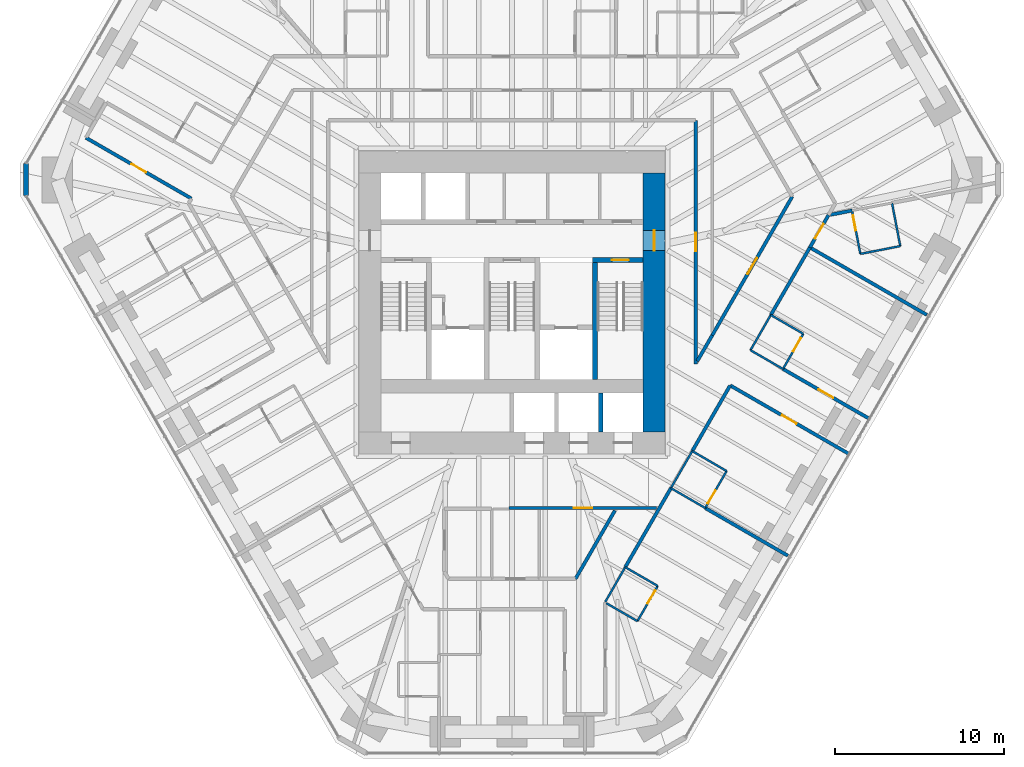
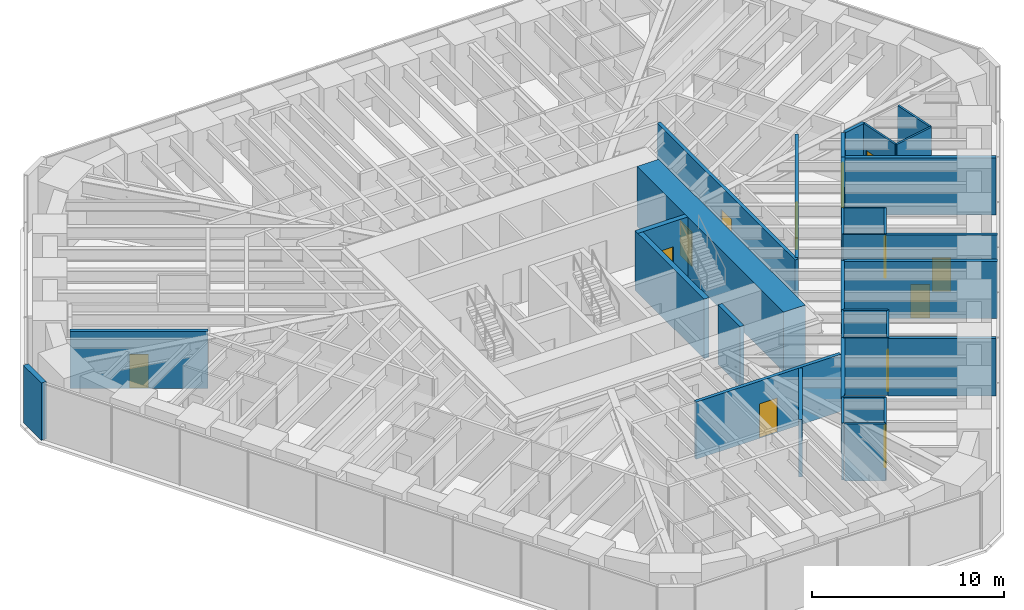
# One storey, part 13 of 16: 35 walls, 13 doors, 13 openings.
"""IFC4 building model written with IfcOpenShell, lengths in metres."""

from ifc_helpers import new_model, si_unit, direction, frame, frame_2d, origin, place, context, subcontext, project, spatial, rectangle, extrude, material, layer, layer_set, type_object, element, fill, save


model = new_model("IFC4")

# Units and contexts
model_context = context("Model", 3, precision=1e-05, world=origin(), true_north=direction((0.0, 1.0)))
body_context = subcontext(model_context, "Body", "Model", "MODEL_VIEW")
ifc_project = project(units=[si_unit("LENGTHUNIT", "METRE"), si_unit("AREAUNIT", "SQUARE_METRE"), si_unit("VOLUMEUNIT", "CUBIC_METRE"), si_unit("PLANEANGLEUNIT", "RADIAN"), si_unit("MASSUNIT", "GRAM", prefix="KILO")], contexts=[model_context])

# Site, building, storey
site_placement = place(None, origin())
site = spatial("IfcSite", under=ifc_project, at=site_placement, CompositionType="ELEMENT")
building_placement = place(site_placement, origin())
building = spatial("IfcBuilding", under=site, at=building_placement, Name="Sandreach Pilgrim Tower", CompositionType="ELEMENT")
storey_placement = place(building_placement, frame((0.0, 0.0, 115.800048828125)))
storey = spatial("IfcBuildingStorey", under=building, at=storey_placement, Name="L28", CompositionType="ELEMENT", Elevation=115.800048828125)

# Walls
ifc_material_1 = material(Name="Moisture-resistant gypsum board on steel studs", Category="steel")
ifc_layer_1 = layer(ifc_material_1, 0.1201171875)
ifc_layer_set_1 = layer_set([ifc_layer_1], Name="Bathroom partition 120")
wall_type_1 = type_object("IfcWallType", Name="Bathroom partition 120", PredefinedType="PARTITIONING", material=ifc_layer_set_1)
wall_1_placement = place(storey_placement, frame((5.510009765625, -19.25, 0.0), z_axis=(0.0, 0.0, 1.0), x_axis=(0.498837591974, 0.866695481028, 0.0)))
element("IfcWall", 1, at=wall_1_placement, inside=storey, type_object=wall_type_1, Name="Bathroom partition L28-095", PredefinedType="PARTITIONING", context=body_context, shape_type="SweptSolid", body=[
    extrude(rectangle(XDim=2.365478515625, YDim=0.1201171875, at=frame_2d((1.1826171875, 0.0))), origin(), (0.0, 0.0, 1.0), 3.639892578125),
])
wall_2_placement = place(storey_placement, frame((5.566162109375, -19.322509765625, 0.0), z_axis=(0.0, 0.0, 1.0), x_axis=(0.865436746432, -0.501018201192, 0.0)))
element("IfcWall", 2, at=wall_2_placement, inside=storey, type_object=wall_type_1, Name="Bathroom partition L28-096", PredefinedType="PARTITIONING", context=body_context, shape_type="SweptSolid", body=[
    extrude(rectangle(XDim=2.13037109375, YDim=0.1201171875, at=frame_2d((1.065185546875, 0.0))), origin(), (0.0, 0.0, 1.0), 3.639892578125),
])

# Wall, opening, door
wall_3_placement = place(storey_placement, frame((7.409912109375, -20.389892578125, 0.0), z_axis=(0.0, 0.0, 1.0), x_axis=(0.499737123639, 0.866177122335, 0.0)))
wall_3 = element("IfcWall", 3, at=wall_3_placement, inside=storey, type_object=wall_type_1, Name="Bathroom partition L28-106", PredefinedType="PARTITIONING", context=body_context, shape_type="SweptSolid", body=[
    extrude(rectangle(XDim=2.401123046875, YDim=0.1201171875, at=frame_2d((1.20068359375, 0.0))), origin(), (0.0, 0.0, 1.0), 3.639892578125),
])
opening_1_placement = place(wall_3_placement, frame((1.201416015625, 0.0, 0.0)))
opening_1 = element("IfcOpeningElement", 4, at=opening_1_placement, cuts=wall_3, Name="Opening D09-09B", PredefinedType="OPENING", context=body_context, shape_type="SweptSolid", body=[
    extrude(rectangle(XDim=0.89990234375, YDim=2.030029296875, at=frame_2d((0.449951171875, 1.01513671875))), frame((0.0, 0.06005859375, 0.0), z_axis=(0.0, -1.0, 0.0), x_axis=(1.0, 0.0, 0.0)), (0.0, 0.0, 1.0), 0.1201171875),
])
ifc_material_2 = material(Name="Timber door, steel frame", Category="steel")
door_type_1 = type_object("IfcDoorType", Name="Bathroom door", OperationType="SINGLE_SWING_LEFT", PredefinedType="DOOR", material=ifc_material_2)
door_1_placement = place(opening_1_placement, origin())
door_1 = element("IfcDoor", 5, at=door_1_placement, inside=storey, type_object=door_type_1, Name="Door 2809B", OperationType="SINGLE_SWING_RIGHT", OverallHeight=2.030029296875, OverallWidth=0.89990234375, PredefinedType="DOOR", context=body_context, shape_type="SweptSolid", body=[
    extrude(rectangle(XDim=0.89990234375, YDim=2.030029296875, at=frame_2d((0.449951171875, 1.01513671875))), frame((0.0, 0.02490234375, 0.0), z_axis=(0.0, -1.0, 0.0), x_axis=(1.0, 0.0, 0.0)), (0.0, 0.0, 1.0), 0.050048828125),
])
fill(opening_1, door_1)

# Walls
wall_4_placement = place(storey_placement, frame((8.610107421875, -18.31005859375, 0.0), z_axis=(0.0, 0.0, 1.0), x_axis=(-0.865732595383, 0.500506816428, 0.0)))
element("IfcWall", 6, at=wall_4_placement, inside=storey, type_object=wall_type_1, Name="Bathroom partition L28-110", PredefinedType="PARTITIONING", context=body_context, shape_type="SweptSolid", body=[
    extrude(rectangle(XDim=2.218017578125, YDim=0.1201171875, at=frame_2d((1.10888671875, 0.0))), origin(), (0.0, 0.0, 1.0), 3.639892578125),
])
wall_5_placement = place(storey_placement, frame((9.38720703125, -12.5283203125, 0.0), z_axis=(0.0, 0.0, 1.0), x_axis=(0.499797743474, 0.866142145158, 0.0)))
element("IfcWall", 7, at=wall_5_placement, inside=storey, type_object=wall_type_1, Name="Bathroom partition L28-111", PredefinedType="PARTITIONING", context=body_context, shape_type="SweptSolid", body=[
    extrude(rectangle(XDim=2.5263671875, YDim=0.1201171875, at=frame_2d((1.26318359375, 0.0))), origin(), (0.0, 0.0, 1.0), 3.639892578125),
])
wall_6_placement = place(storey_placement, frame((9.389892578125, -12.530029296875, 0.0), z_axis=(0.0, 0.0, 1.0), x_axis=(0.865459574701, -0.500978766574, 0.0)))
element("IfcWall", 8, at=wall_6_placement, inside=storey, type_object=wall_type_1, Name="Bathroom partition L28-112", PredefinedType="PARTITIONING", context=body_context, shape_type="SweptSolid", body=[
    extrude(rectangle(XDim=2.343017578125, YDim=0.1201171875, at=frame_2d((1.17138671875, 0.0))), origin(), (0.0, 0.0, 1.0), 3.639892578125),
])

# Wall, opening, door
wall_7_placement = place(storey_placement, frame((11.419921875, -13.699951171875, 0.0), z_axis=(0.0, 0.0, 1.0), x_axis=(0.500424596343, 0.865780124151, 0.0)))
wall_7 = element("IfcWall", 9, at=wall_7_placement, inside=storey, type_object=wall_type_1, Name="Bathroom partition L28-123", PredefinedType="PARTITIONING", context=body_context, shape_type="SweptSolid", body=[
    extrude(rectangle(XDim=2.517822265625, YDim=0.1201171875, at=frame_2d((1.2587890625, 0.0))), origin(), (0.0, 0.0, 1.0), 3.639892578125),
])
opening_2_placement = place(wall_7_placement, frame((0.300048828125, 0.0, 0.0)))
opening_2 = element("IfcOpeningElement", 10, at=opening_2_placement, cuts=wall_7, Name="Opening D09-08B", PredefinedType="OPENING", context=body_context, shape_type="SweptSolid", body=[
    extrude(rectangle(XDim=0.89990234375, YDim=2.030029296875, at=frame_2d((0.449951171875, 1.01513671875))), frame((0.0, 0.06005859375, 0.0), z_axis=(0.0, -1.0, 0.0), x_axis=(1.0, 0.0, 0.0)), (0.0, 0.0, 1.0), 0.1201171875),
])
door_2_placement = place(opening_2_placement, origin())
door_2 = element("IfcDoor", 11, at=door_2_placement, inside=storey, type_object=door_type_1, Name="Door 2808B", OperationType="SINGLE_SWING_LEFT", OverallHeight=2.030029296875, OverallWidth=0.89990234375, PredefinedType="DOOR", context=body_context, shape_type="SweptSolid", body=[
    extrude(rectangle(XDim=0.89990234375, YDim=2.030029296875, at=frame_2d((0.449951171875, 1.01513671875))), frame((0.0, 0.02490234375, 0.0), z_axis=(0.0, -1.0, 0.0), x_axis=(1.0, 0.0, 0.0)), (0.0, 0.0, 1.0), 0.050048828125),
])
fill(opening_2, door_2)

# Walls
wall_8_placement = place(storey_placement, frame((12.679931640625, -11.52001953125, 0.0), z_axis=(0.0, 0.0, 1.0), x_axis=(-0.864539759309, 0.502564428282, 0.0)))
element("IfcWall", 12, at=wall_8_placement, inside=storey, type_object=wall_type_1, Name="Bathroom partition L28-127", PredefinedType="PARTITIONING", context=body_context, shape_type="SweptSolid", body=[
    extrude(rectangle(XDim=2.347900390625, YDim=0.1201171875, at=frame_2d((1.173828125, 0.0))), origin(), (0.0, 0.0, 1.0), 3.639892578125),
])
wall_9_placement = place(storey_placement, frame((14.090087890625, -4.3798828125, 0.0), z_axis=(0.0, 0.0, 1.0), x_axis=(0.499737123639, 0.866177122335, 0.0)))
element("IfcWall", 13, at=wall_9_placement, inside=storey, type_object=wall_type_1, Name="Bathroom partition L28-134", PredefinedType="PARTITIONING", context=body_context, shape_type="SweptSolid", body=[
    extrude(rectangle(XDim=2.401123046875, YDim=0.1201171875, at=frame_2d((1.20068359375, 0.0))), origin(), (0.0, 0.0, 1.0), 3.639892578125),
])
wall_10_placement = place(storey_placement, frame((14.090087890625, -4.3798828125, 0.0), z_axis=(0.0, 0.0, 1.0), x_axis=(0.865705017107, -0.500554515868, 0.0)))
element("IfcWall", 14, at=wall_10_placement, inside=storey, type_object=wall_type_1, Name="Bathroom partition L28-135", PredefinedType="PARTITIONING", context=body_context, shape_type="SweptSolid", body=[
    extrude(rectangle(XDim=2.2177734375, YDim=0.1201171875, at=frame_2d((1.10888671875, 0.0))), origin(), (0.0, 0.0, 1.0), 3.639892578125),
])

# Wall, opening, door
wall_11_placement = place(storey_placement, frame((16.010009765625, -5.489990234375, 0.0), z_axis=(0.0, 0.0, 1.0), x_axis=(0.499693115345, 0.866202511239, 0.0)))
wall_11 = element("IfcWall", 15, at=wall_11_placement, inside=storey, type_object=wall_type_1, Name="Bathroom partition L28-141", PredefinedType="PARTITIONING", context=body_context, shape_type="SweptSolid", body=[
    extrude(rectangle(XDim=2.4013671875, YDim=0.1201171875, at=frame_2d((1.20068359375, 0.0))), origin(), (0.0, 0.0, 1.0), 3.639892578125),
])
opening_3_placement = place(wall_11_placement, frame((1.201416015625, 0.0, 0.0)))
opening_3 = element("IfcOpeningElement", 16, at=opening_3_placement, cuts=wall_11, Name="Opening D09-07B", PredefinedType="OPENING", context=body_context, shape_type="SweptSolid", body=[
    extrude(rectangle(XDim=0.89990234375, YDim=2.030029296875, at=frame_2d((0.449951171875, 1.01513671875))), frame((0.0, 0.06005859375, 0.0), z_axis=(0.0, -1.0, 0.0), x_axis=(1.0, 0.0, 0.0)), (0.0, 0.0, 1.0), 0.1201171875),
])
door_3_placement = place(opening_3_placement, origin())
door_3 = element("IfcDoor", 17, at=door_3_placement, inside=storey, type_object=door_type_1, Name="Door 2807B", OperationType="SINGLE_SWING_RIGHT", OverallHeight=2.030029296875, OverallWidth=0.89990234375, PredefinedType="DOOR", context=body_context, shape_type="SweptSolid", body=[
    extrude(rectangle(XDim=0.89990234375, YDim=2.030029296875, at=frame_2d((0.449951171875, 1.01513671875))), frame((0.0, 0.02490234375, 0.0), z_axis=(0.0, -1.0, 0.0), x_axis=(1.0, 0.0, 0.0)), (0.0, 0.0, 1.0), 0.050048828125),
])
fill(opening_3, door_3)

# Wall
wall_12_placement = place(storey_placement, frame((17.2099609375, -3.409912109375, 0.0), z_axis=(0.0, 0.0, 1.0), x_axis=(-0.86575271903, 0.500472006703, 0.0)))
element("IfcWall", 18, at=wall_12_placement, inside=storey, type_object=wall_type_1, Name="Bathroom partition L28-145", PredefinedType="PARTITIONING", context=body_context, shape_type="SweptSolid", body=[
    extrude(rectangle(XDim=2.217529296875, YDim=0.1201171875, at=frame_2d((1.10888671875, 0.0))), origin(), (0.0, 0.0, 1.0), 3.639892578125),
])

# Wall, opening, door
wall_13_placement = place(storey_placement, frame((20.090087890625, 3.8701171875, 0.0), z_axis=(0.0, 0.0, 1.0), x_axis=(0.187985762814, -0.982171753299, 0.0)))
wall_13 = element("IfcWall", 19, at=wall_13_placement, inside=storey, type_object=wall_type_1, Name="Bathroom partition L28-152", PredefinedType="PARTITIONING", context=body_context, shape_type="SweptSolid", body=[
    extrude(rectangle(XDim=2.6064453125, YDim=0.1201171875, at=frame_2d((1.30322265625, 0.0))), origin(), (0.0, 0.0, 1.0), 3.639892578125),
])
opening_4_placement = place(wall_13_placement, frame((0.300048828125, 0.0, 0.0)))
opening_4 = element("IfcOpeningElement", 20, at=opening_4_placement, cuts=wall_13, Name="Opening D09-06B", PredefinedType="OPENING", context=body_context, shape_type="SweptSolid", body=[
    extrude(rectangle(XDim=0.89990234375, YDim=2.030029296875, at=frame_2d((0.449951171875, 1.01513671875))), frame((0.0, 0.06005859375, 0.0), z_axis=(0.0, -1.0, 0.0), x_axis=(1.0, 0.0, 0.0)), (0.0, 0.0, 1.0), 0.1201171875),
])
door_4_placement = place(opening_4_placement, origin())
door_4 = element("IfcDoor", 21, at=door_4_placement, inside=storey, type_object=door_type_1, Name="Door 2806B", OperationType="SINGLE_SWING_LEFT", OverallHeight=2.030029296875, OverallWidth=0.89990234375, PredefinedType="DOOR", context=body_context, shape_type="SweptSolid", body=[
    extrude(rectangle(XDim=0.89990234375, YDim=2.030029296875, at=frame_2d((0.449951171875, 1.01513671875))), frame((0.0, 0.02490234375, 0.0), z_axis=(0.0, -1.0, 0.0), x_axis=(1.0, 0.0, 0.0)), (0.0, 0.0, 1.0), 0.050048828125),
])
fill(opening_4, door_4)

# Walls
wall_14_placement = place(storey_placement, frame((20.580078125, 1.31005859375, 0.0), z_axis=(0.0, 0.0, 1.0), x_axis=(0.981529676402, 0.191309943135, 0.0)))
element("IfcWall", 22, at=wall_14_placement, inside=storey, type_object=wall_type_1, Name="Bathroom partition L28-155", PredefinedType="PARTITIONING", context=body_context, shape_type="SweptSolid", body=[
    extrude(rectangle(XDim=2.404296875, YDim=0.1201171875, at=frame_2d((1.2021484375, 0.0))), origin(), (0.0, 0.0, 1.0), 3.639892578125),
])
wall_15_placement = place(storey_placement, frame((22.93994140625, 1.77001953125, 0.0), z_axis=(0.0, 0.0, 1.0), x_axis=(-0.188697442844, 0.982035271802, 0.0)))
element("IfcWall", 23, at=wall_15_placement, inside=storey, type_object=wall_type_1, Name="Bathroom partition L28-158", PredefinedType="PARTITIONING", context=body_context, shape_type="SweptSolid", body=[
    extrude(rectangle(XDim=2.5966796875, YDim=0.1201171875, at=frame_2d((1.29833984375, 0.0))), origin(), (0.0, 0.0, 1.0), 3.639892578125),
])
ifc_material_3 = material(Name="Concrete 10000 psi", Category="concrete")
ifc_layer_2 = layer(ifc_material_3, 0.300048828125)
ifc_layer_set_2 = layer_set([ifc_layer_2], Name="Core inner wall 300")
wall_type_2 = type_object("IfcWallType", Name="Core inner wall 300", PredefinedType="SHEAR", material=ifc_layer_set_2)
wall_16_placement = place(storey_placement, frame((4.89990234375, -6.10009765625, 0.0), z_axis=(0.0, 0.0, 1.0), x_axis=(0.0, 1.0, 0.0)))
element("IfcWall", 24, at=wall_16_placement, inside=storey, type_object=wall_type_2, Name="Core wall I3 L28", PredefinedType="SHEAR", context=body_context, shape_type="SweptSolid", body=[
    extrude(rectangle(XDim=7.2001953125, YDim=0.300048828125, at=frame_2d((3.60009765625, 0.0))), origin(), (0.0, 0.0, 1.0), 3.800048828125),
])

# Wall, opening, door
wall_17_placement = place(storey_placement, frame((4.75, 0.949951171875, 0.0), z_axis=(0.0, 0.0, 1.0), x_axis=(1.0, 0.0, 0.0)))
wall_17 = element("IfcWall", 25, at=wall_17_placement, inside=storey, type_object=wall_type_2, Name="Core wall SN2 L28", PredefinedType="SHEAR", context=body_context, shape_type="SweptSolid", body=[
    extrude(rectangle(XDim=3.0, YDim=0.300048828125, at=frame_2d((1.5, 0.0))), origin(), (0.0, 0.0, 1.0), 3.800048828125),
])
opening_5_placement = place(wall_17_placement, frame((1.14990234375, 0.0, 0.0)))
opening_5 = element("IfcOpeningElement", 26, at=opening_5_placement, cuts=wall_17, Name="Opening D10S-ST2", PredefinedType="OPENING", context=body_context, shape_type="SweptSolid", body=[
    extrude(rectangle(XDim=1.0, YDim=2.199951171875, at=frame_2d((0.5, 1.10009765625))), frame((0.0, 0.14990234375, 0.0), z_axis=(0.0, -1.0, 0.0), x_axis=(1.0, 0.0, 0.0)), (0.0, 0.0, 1.0), 0.300048828125),
])
ifc_material_4 = material(Name="Steel door and frame", Category="steel")
door_type_2 = type_object("IfcDoorType", Name="Stair door", OperationType="SINGLE_SWING_LEFT", PredefinedType="DOOR", material=ifc_material_4)
door_5_placement = place(opening_5_placement, origin())
door_5 = element("IfcDoor", 27, at=door_5_placement, inside=storey, type_object=door_type_2, Name="Stair door ST2 L28", OperationType="SINGLE_SWING_RIGHT", OverallHeight=2.199951171875, OverallWidth=1.0, PredefinedType="DOOR", context=body_context, shape_type="SweptSolid", body=[
    extrude(rectangle(XDim=1.0, YDim=2.199951171875, at=frame_2d((0.5, 1.10009765625))), frame((0.0, 0.02490234375, 0.0), z_axis=(0.0, -1.0, 0.0), x_axis=(1.0, 0.0, 0.0)), (0.0, 0.0, 1.0), 0.050048828125),
])
fill(opening_5, door_5)

ifc_material_5 = material(Name="Concrete 10000 psi", Category="concrete")
ifc_layer_3 = layer(ifc_material_5, 1.300048828125)
ifc_layer_set_3 = layer_set([ifc_layer_3], Name="Core wall 1300")
wall_type_3 = type_object("IfcWallType", Name="Core wall 1300", PredefinedType="SHEAR", material=ifc_layer_set_3)
wall_18_placement = place(storey_placement, frame((8.39990234375, -9.199951171875, 0.0), z_axis=(0.0, 0.0, 1.0), x_axis=(0.0, 1.0, 0.0)))
wall_18 = element("IfcWall", 28, at=wall_18_placement, inside=storey, type_object=wall_type_3, Name="Core wall E L28", PredefinedType="SHEAR", context=body_context, shape_type="SweptSolid", body=[
    extrude(rectangle(XDim=15.300048828125, YDim=1.300048828125, at=frame_2d((7.64990234375, 0.0))), origin(), (0.0, 0.0, 1.0), 3.800048828125),
])
opening_6_placement = place(wall_18_placement, frame((10.699951171875, 0.0, 0.0)))
opening_6 = element("IfcOpeningElement", 29, at=opening_6_placement, cuts=wall_18, Name="Opening D12F-E", PredefinedType="OPENING", context=body_context, shape_type="SweptSolid", body=[
    extrude(rectangle(XDim=1.199951171875, YDim=2.199951171875, at=frame_2d((0.60009765625, 1.10009765625))), frame((0.0, 0.64990234375, 0.0), z_axis=(0.0, -1.0, 0.0), x_axis=(1.0, 0.0, 0.0)), (0.0, 0.0, 1.0), 1.300048828125),
])
ifc_material_6 = material(Name="Steel door and frame", Category="steel")
door_type_3 = type_object("IfcDoorType", Name="Fire lobby door", OperationType="SINGLE_SWING_LEFT", PredefinedType="DOOR", material=ifc_material_6)
door_6_placement = place(opening_6_placement, origin())
door_6 = element("IfcDoor", 30, at=door_6_placement, inside=storey, type_object=door_type_3, Name="Fire service lobby door E L28", OperationType="SINGLE_SWING_RIGHT", OverallHeight=2.199951171875, OverallWidth=1.199951171875, PredefinedType="DOOR", context=body_context, shape_type="SweptSolid", body=[
    extrude(rectangle(XDim=1.199951171875, YDim=2.199951171875, at=frame_2d((0.60009765625, 1.10009765625))), frame((0.0, 0.02490234375, 0.0), z_axis=(0.0, -1.0, 0.0), x_axis=(1.0, 0.0, 0.0)), (0.0, 0.0, 1.0), 0.050048828125),
])
fill(opening_6, door_6)

ifc_material_7 = material(Name="Gypsum board on steel studs, two layers each side", Category="steel")
ifc_layer_4 = layer(ifc_material_7, 0.199951171875)
ifc_layer_set_4 = layer_set([ifc_layer_4], Name="Corridor wall 200")
wall_type_4 = type_object("IfcWallType", Name="Corridor wall 200", PredefinedType="PARTITIONING", material=ifc_layer_set_4)
wall_19_placement = place(storey_placement, frame((-25.169921875, 8.169921875, 0.0), z_axis=(0.0, 0.0, 1.0), x_axis=(0.866448885678, -0.499265789443, 0.0)))
wall_19 = element("IfcWall", 31, at=wall_19_placement, inside=storey, type_object=wall_type_4, Name="Corridor wall L28-002", PredefinedType="PARTITIONING", context=body_context, shape_type="SweptSolid", body=[
    extrude(rectangle(XDim=7.190185546875, YDim=0.199951171875, at=frame_2d((3.59521484375, 0.0))), origin(), (0.0, 0.0, 1.0), 3.639892578125),
])
opening_7_placement = place(wall_19_placement, frame((3.09521484375, 0.0, 0.0)))
opening_7 = element("IfcOpeningElement", 32, at=opening_7_placement, cuts=wall_19, Name="Opening D10-15", PredefinedType="OPENING", context=body_context, shape_type="SweptSolid", body=[
    extrude(rectangle(XDim=1.0, YDim=2.1298828125, at=frame_2d((0.5, 1.06494140625))), frame((0.0, 0.10009765625, 0.0), z_axis=(0.0, -1.0, 0.0), x_axis=(1.0, 0.0, 0.0)), (0.0, 0.0, 1.0), 0.199951171875),
])
ifc_material_8 = material(Name="Steel door and frame", Category="steel")
door_type_4 = type_object("IfcDoorType", Name="Guest room entry door", OperationType="SINGLE_SWING_LEFT", PredefinedType="DOOR", material=ifc_material_8)
door_7_placement = place(opening_7_placement, origin())
door_7 = element("IfcDoor", 33, at=door_7_placement, inside=storey, type_object=door_type_4, Name="Door 2815", OperationType="SINGLE_SWING_LEFT", OverallHeight=2.1298828125, OverallWidth=1.0, PredefinedType="DOOR", context=body_context, shape_type="SweptSolid", body=[
    extrude(rectangle(XDim=1.0, YDim=2.1298828125, at=frame_2d((0.5, 1.06494140625))), frame((0.0, 0.02490234375, 0.0), z_axis=(0.0, -1.0, 0.0), x_axis=(1.0, 0.0, 0.0)), (0.0, 0.0, 1.0), 0.050048828125),
])
fill(opening_7, door_7)

# Walls
wall_20_placement = place(storey_placement, frame((6.08251953125, -13.849609375, 0.0), z_axis=(0.0, 0.0, 1.0), x_axis=(-0.499977643516, -0.866038310922, 0.0)))
element("IfcWall", 34, at=wall_20_placement, inside=storey, type_object=wall_type_4, Name="Corridor wall L28-097", PredefinedType="PARTITIONING", context=body_context, shape_type="SweptSolid", body=[
    extrude(rectangle(XDim=4.665283203125, YDim=0.199951171875, at=frame_2d((2.33251953125, 0.0))), origin(), (0.0, 0.0, 1.0), 3.639892578125),
])
wall_21_placement = place(storey_placement, frame((6.68994140625, -17.199951171875, 0.0), z_axis=(0.0, 0.0, 1.0), x_axis=(0.500524150216, 0.865722573952, 0.0)))
element("IfcWall", 35, at=wall_21_placement, inside=storey, type_object=wall_type_4, Name="Corridor wall L28-102", PredefinedType="PARTITIONING", context=body_context, shape_type="SweptSolid", body=[
    extrude(rectangle(XDim=5.394287109375, YDim=0.199951171875, at=frame_2d((2.697265625, 0.0))), origin(), (0.0, 0.0, 1.0), 3.639892578125),
])

# Wall, opening, door
wall_22_placement = place(storey_placement, frame((8.5380859375, -13.699951171875, 0.0), z_axis=(0.0, 0.0, 1.0), x_axis=(-1.0, 0.0, 0.0)))
wall_22 = element("IfcWall", 36, at=wall_22_placement, inside=storey, type_object=wall_type_4, Name="Corridor wall L28-107", PredefinedType="PARTITIONING", context=body_context, shape_type="SweptSolid", body=[
    extrude(rectangle(XDim=8.7080078125, YDim=0.199951171875, at=frame_2d((4.35400390625, 0.0))), origin(), (0.0, 0.0, 1.0), 3.639892578125),
])
opening_8_placement = place(wall_22_placement, frame((3.80419921875, 0.0, 0.0)))
opening_8 = element("IfcOpeningElement", 37, at=opening_8_placement, cuts=wall_22, Name="Opening D11H-S4", PredefinedType="OPENING", context=body_context, shape_type="SweptSolid", body=[
    extrude(rectangle(XDim=1.10009765625, YDim=2.199951171875, at=frame_2d((0.550048828125, 1.10009765625))), frame((0.0, 0.10009765625, 0.0), z_axis=(0.0, -1.0, 0.0), x_axis=(1.0, 0.0, 0.0)), (0.0, 0.0, 1.0), 0.199951171875),
])
ifc_material_9 = material(Name="Steel door and frame", Category="steel")
door_type_5 = type_object("IfcDoorType", Name="Back of house door", OperationType="SINGLE_SWING_LEFT", PredefinedType="DOOR", material=ifc_material_9)
door_8_placement = place(opening_8_placement, origin())
door_8 = element("IfcDoor", 38, at=door_8_placement, inside=storey, type_object=door_type_5, Name="Door 28S4", OperationType="SINGLE_SWING_LEFT", OverallHeight=2.199951171875, OverallWidth=1.10009765625, PredefinedType="DOOR", context=body_context, shape_type="SweptSolid", body=[
    extrude(rectangle(XDim=1.10009765625, YDim=2.199951171875, at=frame_2d((0.550048828125, 1.10009765625))), frame((0.0, 0.02490234375, 0.0), z_axis=(0.0, -1.0, 0.0), x_axis=(1.0, 0.0, 0.0)), (0.0, 0.0, 1.0), 0.050048828125),
])
fill(opening_8, door_8)

# Wall
wall_23_placement = place(storey_placement, frame((10.64990234375, -10.340087890625, 0.0), z_axis=(0.0, 0.0, 1.0), x_axis=(0.499990639951, 0.866030807744, 0.0)))
element("IfcWall", 39, at=wall_23_placement, inside=storey, type_object=wall_type_4, Name="Corridor wall L28-113", PredefinedType="PARTITIONING", context=body_context, shape_type="SweptSolid", body=[
    extrude(rectangle(XDim=4.46533203125, YDim=0.199951171875, at=frame_2d((2.232666015625, 0.0))), origin(), (0.0, 0.0, 1.0), 3.639892578125),
])

# Wall, opening, door
wall_24_placement = place(storey_placement, frame((10.85009765625, -5.18994140625, 0.0), z_axis=(0.0, 0.0, 1.0), x_axis=(0.0, 1.0, 0.0)))
wall_24 = element("IfcWall", 40, at=wall_24_placement, inside=storey, type_object=wall_type_4, Name="Corridor wall L28-115", PredefinedType="PARTITIONING", context=body_context, shape_type="SweptSolid", body=[
    extrude(rectangle(XDim=14.389892578125, YDim=0.199951171875, at=frame_2d((7.19482421875, 0.0))), origin(), (0.0, 0.0, 1.0), 3.639892578125),
])
opening_9_placement = place(wall_24_placement, frame((6.64501953125, 0.0, 0.0)))
opening_9 = element("IfcOpeningElement", 41, at=opening_9_placement, cuts=wall_24, Name="Opening D11H-M06", PredefinedType="OPENING", context=body_context, shape_type="SweptSolid", body=[
    extrude(rectangle(XDim=1.10009765625, YDim=2.199951171875, at=frame_2d((0.550048828125, 1.10009765625))), frame((0.0, 0.10009765625, 0.0), z_axis=(0.0, -1.0, 0.0), x_axis=(1.0, 0.0, 0.0)), (0.0, 0.0, 1.0), 0.199951171875),
])
door_9_placement = place(opening_9_placement, origin())
door_9 = element("IfcDoor", 42, at=door_9_placement, inside=storey, type_object=door_type_5, Name="Door 28M06", OperationType="SINGLE_SWING_LEFT", OverallHeight=2.199951171875, OverallWidth=1.10009765625, PredefinedType="DOOR", context=body_context, shape_type="SweptSolid", body=[
    extrude(rectangle(XDim=1.10009765625, YDim=2.199951171875, at=frame_2d((0.550048828125, 1.10009765625))), frame((0.0, 0.02490234375, 0.0), z_axis=(0.0, -1.0, 0.0), x_axis=(1.0, 0.0, 0.0)), (0.0, 0.0, 1.0), 0.050048828125),
])
fill(opening_9, door_9)

# Wall
wall_25_placement = place(storey_placement, frame((11.830078125, -3.5, 0.0), z_axis=(0.0, 0.0, 1.0), x_axis=(-0.501720167394, -0.865029984237, 0.0)))
element("IfcWall", 43, at=wall_25_placement, inside=storey, type_object=wall_type_4, Name="Corridor wall L28-124", PredefinedType="PARTITIONING", context=body_context, shape_type="SweptSolid", body=[
    extrude(rectangle(XDim=1.758544921875, YDim=0.199951171875, at=frame_2d((0.87939453125, 0.0))), origin(), (0.0, 0.0, 1.0), 3.639892578125),
])

# Wall, opening, door
wall_26_placement = place(storey_placement, frame((12.889892578125, -6.4599609375, 0.0), z_axis=(0.0, 0.0, 1.0), x_axis=(0.866181559118, -0.499729433437, 0.0)))
wall_26 = element("IfcWall", 44, at=wall_26_placement, inside=storey, type_object=wall_type_4, Name="Corridor wall L28-128", PredefinedType="PARTITIONING", context=body_context, shape_type="SweptSolid", body=[
    extrude(rectangle(XDim=8.07470703125, YDim=0.199951171875, at=frame_2d((4.037353515625, 0.0))), origin(), (0.0, 0.0, 1.0), 3.639892578125),
])
opening_10_placement = place(wall_26_placement, frame((3.537353515625, 0.0, 0.0)))
opening_10 = element("IfcOpeningElement", 45, at=opening_10_placement, cuts=wall_26, Name="Opening D10-08", PredefinedType="OPENING", context=body_context, shape_type="SweptSolid", body=[
    extrude(rectangle(XDim=1.0, YDim=2.1298828125, at=frame_2d((0.5, 1.06494140625))), frame((0.0, 0.10009765625, 0.0), z_axis=(0.0, -1.0, 0.0), x_axis=(1.0, 0.0, 0.0)), (0.0, 0.0, 1.0), 0.199951171875),
])
door_10_placement = place(opening_10_placement, origin())
door_10 = element("IfcDoor", 46, at=door_10_placement, inside=storey, type_object=door_type_4, Name="Door 2808", OperationType="SINGLE_SWING_LEFT", OverallHeight=2.1298828125, OverallWidth=1.0, PredefinedType="DOOR", context=body_context, shape_type="SweptSolid", body=[
    extrude(rectangle(XDim=1.0, YDim=2.1298828125, at=frame_2d((0.5, 1.06494140625))), frame((0.0, 0.02490234375, 0.0), z_axis=(0.0, -1.0, 0.0), x_axis=(1.0, 0.0, 0.0)), (0.0, 0.0, 1.0), 0.050048828125),
])
fill(opening_10, door_10)

# Wall
wall_27_placement = place(storey_placement, frame((15.2900390625, -2.300048828125, 0.0), z_axis=(0.0, 0.0, 1.0), x_axis=(0.501046707413, 0.865420242998, 0.0)))
element("IfcWall", 47, at=wall_27_placement, inside=storey, type_object=wall_type_4, Name="Corridor wall L28-138", PredefinedType="PARTITIONING", context=body_context, shape_type="SweptSolid", body=[
    extrude(rectangle(XDim=4.6103515625, YDim=0.199951171875, at=frame_2d((2.30517578125, 0.0))), origin(), (0.0, 0.0, 1.0), 3.639892578125),
])

# Wall, opening, door
wall_28_placement = place(storey_placement, frame((16.010009765625, -5.489990234375, 0.0), z_axis=(0.0, 0.0, 1.0), x_axis=(0.866351401603, -0.499434929635, 0.0)))
wall_28 = element("IfcWall", 48, at=wall_28_placement, inside=storey, type_object=wall_type_4, Name="Corridor wall L28-142", PredefinedType="PARTITIONING", context=body_context, shape_type="SweptSolid", body=[
    extrude(rectangle(XDim=5.856689453125, YDim=0.199951171875, at=frame_2d((2.92822265625, 0.0))), origin(), (0.0, 0.0, 1.0), 3.639892578125),
])
opening_11_placement = place(wall_28_placement, frame((2.428466796875, 0.0, 0.0)))
opening_11 = element("IfcOpeningElement", 49, at=opening_11_placement, cuts=wall_28, Name="Opening D10-07", PredefinedType="OPENING", context=body_context, shape_type="SweptSolid", body=[
    extrude(rectangle(XDim=1.0, YDim=2.1298828125, at=frame_2d((0.5, 1.06494140625))), frame((0.0, 0.10009765625, 0.0), z_axis=(0.0, -1.0, 0.0), x_axis=(1.0, 0.0, 0.0)), (0.0, 0.0, 1.0), 0.199951171875),
])
door_11_placement = place(opening_11_placement, origin())
door_11 = element("IfcDoor", 50, at=door_11_placement, inside=storey, type_object=door_type_4, Name="Door 2807", OperationType="SINGLE_SWING_LEFT", OverallHeight=2.1298828125, OverallWidth=1.0, PredefinedType="DOOR", context=body_context, shape_type="SweptSolid", body=[
    extrude(rectangle(XDim=1.0, YDim=2.1298828125, at=frame_2d((0.5, 1.06494140625))), frame((0.0, 0.02490234375, 0.0), z_axis=(0.0, -1.0, 0.0), x_axis=(1.0, 0.0, 0.0)), (0.0, 0.0, 1.0), 0.050048828125),
])
fill(opening_11, door_11)

wall_29_placement = place(storey_placement, frame((16.56005859375, 4.699951171875, 0.0), z_axis=(0.0, 0.0, 1.0), x_axis=(-0.499662169849, -0.866220362276, 0.0)))
wall_29 = element("IfcWall", 51, at=wall_29_placement, inside=storey, type_object=wall_type_4, Name="Corridor wall L28-143", PredefinedType="PARTITIONING", context=body_context, shape_type="SweptSolid", body=[
    extrude(rectangle(XDim=9.46630859375, YDim=0.199951171875, at=frame_2d((4.733154296875, 0.0))), origin(), (0.0, 0.0, 1.0), 3.639892578125),
])
opening_12_placement = place(wall_29_placement, frame((4.18310546875, 0.0, 0.0)))
opening_12 = element("IfcOpeningElement", 52, at=opening_12_placement, cuts=wall_29, Name="Opening D11H-M07", PredefinedType="OPENING", context=body_context, shape_type="SweptSolid", body=[
    extrude(rectangle(XDim=1.10009765625, YDim=2.199951171875, at=frame_2d((0.550048828125, 1.10009765625))), frame((0.0, 0.10009765625, 0.0), z_axis=(0.0, -1.0, 0.0), x_axis=(1.0, 0.0, 0.0)), (0.0, 0.0, 1.0), 0.199951171875),
])
door_12_placement = place(opening_12_placement, origin())
door_12 = element("IfcDoor", 53, at=door_12_placement, inside=storey, type_object=door_type_5, Name="Door 28M07", OperationType="SINGLE_SWING_LEFT", OverallHeight=2.199951171875, OverallWidth=1.10009765625, PredefinedType="DOOR", context=body_context, shape_type="SweptSolid", body=[
    extrude(rectangle(XDim=1.10009765625, YDim=2.199951171875, at=frame_2d((0.550048828125, 1.10009765625))), frame((0.0, 0.02490234375, 0.0), z_axis=(0.0, -1.0, 0.0), x_axis=(1.0, 0.0, 0.0)), (0.0, 0.0, 1.0), 0.050048828125),
])
fill(opening_12, door_12)

wall_30_placement = place(storey_placement, frame((17.60009765625, 1.68994140625, 0.0), z_axis=(0.0, 0.0, 1.0), x_axis=(0.498987132006, 0.866609394187, 0.0)))
wall_30 = element("IfcWall", 54, at=wall_30_placement, inside=storey, type_object=wall_type_4, Name="Corridor wall L28-146", PredefinedType="PARTITIONING", context=body_context, shape_type="SweptSolid", body=[
    extrude(rectangle(XDim=2.2041015625, YDim=0.199951171875, at=frame_2d((1.10205078125, 0.0))), origin(), (0.0, 0.0, 1.0), 3.639892578125),
])
opening_13_placement = place(wall_30_placement, frame((0.60205078125, 0.0, 0.0)))
opening_13 = element("IfcOpeningElement", 55, at=opening_13_placement, cuts=wall_30, Name="Opening D10-06", PredefinedType="OPENING", context=body_context, shape_type="SweptSolid", body=[
    extrude(rectangle(XDim=1.0, YDim=2.1298828125, at=frame_2d((0.5, 1.06494140625))), frame((0.0, 0.10009765625, 0.0), z_axis=(0.0, -1.0, 0.0), x_axis=(1.0, 0.0, 0.0)), (0.0, 0.0, 1.0), 0.199951171875),
])
door_13_placement = place(opening_13_placement, origin())
door_13 = element("IfcDoor", 56, at=door_13_placement, inside=storey, type_object=door_type_4, Name="Door 2806", OperationType="SINGLE_SWING_LEFT", OverallHeight=2.1298828125, OverallWidth=1.0, PredefinedType="DOOR", context=body_context, shape_type="SweptSolid", body=[
    extrude(rectangle(XDim=1.0, YDim=2.1298828125, at=frame_2d((0.5, 1.06494140625))), frame((0.0, 0.02490234375, 0.0), z_axis=(0.0, -1.0, 0.0), x_axis=(1.0, 0.0, 0.0)), (0.0, 0.0, 1.0), 0.050048828125),
])
fill(opening_13, door_13)

# Walls
ifc_material_10 = material(Name="Double steel stud acoustic wall, gypsum board", Category="steel")
ifc_layer_5 = layer(ifc_material_10, 0.199951171875)
ifc_layer_set_5 = layer_set([ifc_layer_5], Name="Party wall 200")
wall_type_5 = type_object("IfcWallType", Name="Party wall 200", PredefinedType="PARTITIONING", material=ifc_layer_set_5)
wall_31_placement = place(storey_placement, frame((11.417724609375, -13.703857421875, 0.0), z_axis=(0.0, 0.0, 1.0), x_axis=(0.866055675731, -0.499947563785, 0.0)))
element("IfcWall", 57, at=wall_31_placement, inside=storey, type_object=wall_type_5, Name="Party wall L28-122", PredefinedType="PARTITIONING", context=body_context, shape_type="SweptSolid", body=[
    extrude(rectangle(XDim=5.6328125, YDim=0.199951171875, at=frame_2d((2.81640625, 0.0))), origin(), (0.0, 0.0, 1.0), 3.639892578125),
])
wall_32_placement = place(storey_placement, frame((18.807861328125, 3.62109375, 0.0), z_axis=(0.0, 0.0, 1.0), x_axis=(0.981658166981, 0.190649529764, 0.0)))
element("IfcWall", 58, at=wall_32_placement, inside=storey, type_object=wall_type_5, Name="Party wall L28-149", PredefinedType="PARTITIONING", context=body_context, shape_type="SweptSolid", body=[
    extrude(rectangle(XDim=1.30615234375, YDim=0.199951171875, at=frame_2d((0.653076171875, 0.0))), origin(), (0.0, 0.0, 1.0), 3.639892578125),
])
wall_33_placement = place(storey_placement, frame((24.506103515625, -2.2900390625, 0.0), z_axis=(0.0, 0.0, 1.0), x_axis=(-0.866414224119, 0.499325937884, 0.0)))
element("IfcWall", 59, at=wall_33_placement, inside=storey, type_object=wall_type_5, Name="Party wall L28-159", PredefinedType="PARTITIONING", context=body_context, shape_type="SweptSolid", body=[
    extrude(rectangle(XDim=7.9609375, YDim=0.199951171875, at=frame_2d((3.98046875, 0.0))), origin(), (0.0, 0.0, 1.0), 3.639892578125),
])
ifc_material_11 = material(Name="Gypsum shaft wall on steel studs, two layers of shaft liner board", Category="steel")
ifc_layer_6 = layer(ifc_material_11, 0.25)
ifc_layer_set_6 = layer_set([ifc_layer_6], Name="Shaft partition 250")
wall_type_6 = type_object("IfcWallType", Name="Shaft partition 250", PredefinedType="PARTITIONING", material=ifc_layer_set_6)
wall_34_placement = place(storey_placement, frame((5.25, -9.199951171875, 0.0), z_axis=(0.0, 0.0, 1.0), x_axis=(0.0, 1.0, 0.0)))
element("IfcWall", 60, at=wall_34_placement, inside=storey, type_object=wall_type_6, Name="Shaft partition XS4 L28", PredefinedType="PARTITIONING", context=body_context, shape_type="SweptSolid", body=[
    extrude(rectangle(XDim=2.300048828125, YDim=0.25, at=frame_2d((1.14990234375, 0.0))), origin(), (0.0, 0.0, 1.0), 3.800048828125),
])
ifc_material_12 = material(Name="Terracotta rainscreen on concrete", Category="masonry")
ifc_layer_7 = layer(ifc_material_12, 0.300048828125)
ifc_layer_set_7 = layer_set([ifc_layer_7], Name="Terracotta chamfer pier")
wall_type_7 = type_object("IfcWallType", Name="Terracotta chamfer pier", PredefinedType="SOLIDWALL", material=ifc_layer_set_7)
wall_35_placement = place(storey_placement, frame((-28.720947265625, 4.758544921875, 0.0), z_axis=(0.0, 0.0, 1.0), x_axis=(0.0, 1.0, 0.0)))
element("IfcWall", 61, at=wall_35_placement, inside=storey, type_object=wall_type_7, Name="Chamfer pier L28 SW", PredefinedType="SOLIDWALL", context=body_context, shape_type="SweptSolid", body=[
    extrude(rectangle(XDim=1.8798828125, YDim=0.300048828125, at=frame_2d((0.93994140625, 0.0))), origin(), (0.0, 0.0, 1.0), 3.639892578125),
])

save(model, "model.ifc")
